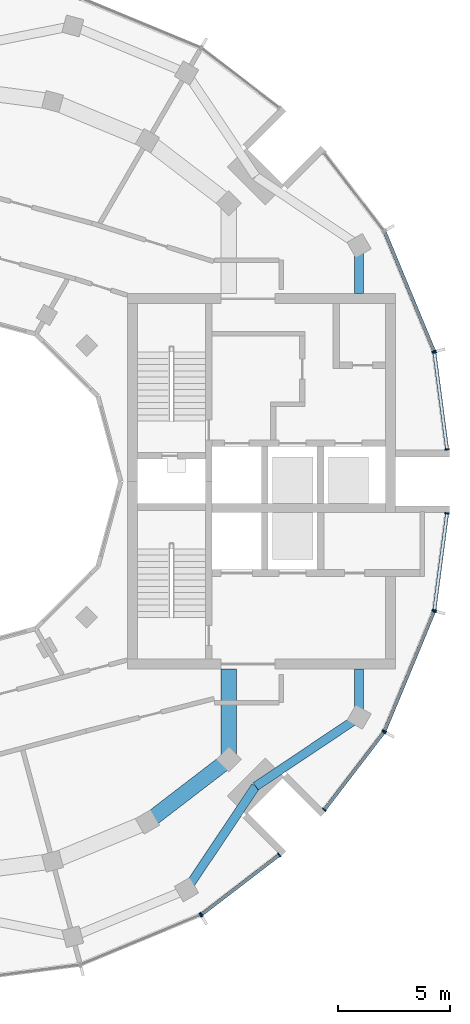
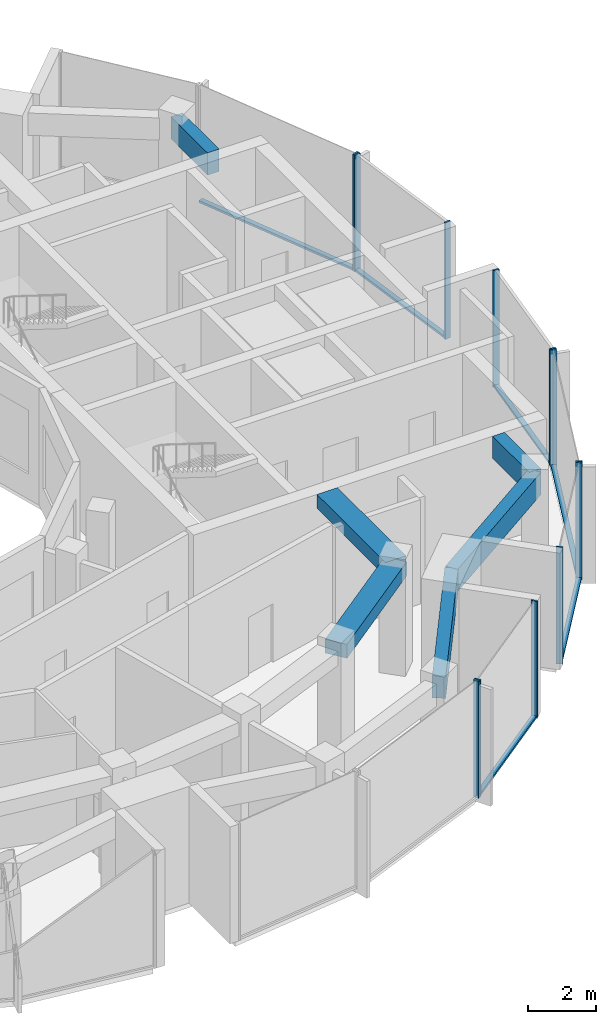
# One storey, part 4 of 13: 18 members, 6 beams, 7 elements without a shape of their own.
"""IFC4 building model written with IfcOpenShell, lengths in metres."""

import ifcopenshell
import ifcopenshell.guid

model = None  # the IFC model being written
_history = None  # IfcOwnerHistory: only IFC2X3 demands one
_inside = {}  # id of a spatial element -> (the spatial element, [elements in it])
_under = {}  # id of a project, library or spatial element -> (it, [spatial elements below it])
_declared = {}  # id of a project -> (the project, [libraries it declares])
_typed = {}  # id of a type object -> (the type object, [elements of that type])
_made_of = {}  # id of a material, layer set ... -> (it, [elements and type objects made of it])


def new_model(schema):
    """Start an empty IFC model of exactly this schema.

    Asked for "IFC4X3", IfcOpenShell would pick the latest addendum, in which some entities
    have other attributes; the version numbers below select the first issue.
    IFC2X3 requires an IfcOwnerHistory on every rooted entity: one is made here for all.
    """
    global model, _history
    if schema == "IFC4X3":
        model = ifcopenshell.file(schema_version=(4, 3, 0, 0))
    else:
        model = ifcopenshell.file(schema=schema)
    _inside.clear()
    _under.clear()
    _declared.clear()
    _typed.clear()
    _made_of.clear()
    _history = None
    if model.schema == "IFC2X3":
        org = make("IfcOrganization", Name="unknown")
        user = make(
            "IfcPersonAndOrganization",
            ThePerson=make("IfcPerson", FamilyName="unknown"),
            TheOrganization=org,
        )
        app = make(
            "IfcApplication",
            ApplicationDeveloper=org,
            Version="unknown",
            ApplicationFullName="unknown",
            ApplicationIdentifier="unknown",
        )
        _history = make(
            "IfcOwnerHistory",
            OwningUser=user,
            OwningApplication=app,
            ChangeAction="ADDED",
            CreationDate=0,
        )
    return model


def make(cls, **values):
    """One entity of the class cls with the attributes given. An attribute that is None is left unset."""
    return model.create_entity(
        cls, **{name: value for name, value in values.items() if value is not None}
    )


def rooted(cls, **values):
    """An entity with a GlobalId (a new one), such as an element, a storey or a relation."""
    return make(cls, GlobalId=ifcopenshell.guid.new(), OwnerHistory=_history, **values)


def si_unit(unit_type, name, prefix=None):
    """IfcSIUnit, for example si_unit("LENGTHUNIT", "METRE", prefix="MILLI")."""
    return make("IfcSIUnit", UnitType=unit_type, Prefix=prefix, Name=name)


def assignment(units):
    """IfcUnitAssignment: the units of a project."""
    return None if units is None else make("IfcUnitAssignment", Units=units)


def point(xyz):
    """IfcCartesianPoint."""
    return None if xyz is None else make("IfcCartesianPoint", Coordinates=xyz)


def direction(xyz):
    """IfcDirection."""
    return None if xyz is None else make("IfcDirection", DirectionRatios=xyz)


def frame(location, z_axis=None, x_axis=None):
    """IfcAxis2Placement3D, a coordinate frame: its origin and axes. An axis left out is left unset."""
    return make(
        "IfcAxis2Placement3D",
        Location=point(location),
        Axis=direction(z_axis),
        RefDirection=direction(x_axis),
    )


def frame_2d(location, x_axis=None):
    """IfcAxis2Placement2D, a coordinate frame in the plane: its origin and x axis."""
    return make(
        "IfcAxis2Placement2D", Location=point(location), RefDirection=direction(x_axis)
    )


def origin():
    """The frame at (0, 0, 0) with its axes left unset."""
    return frame((0.0, 0.0, 0.0))


def origin_2d():
    """The frame at (0, 0) in the plane with its x axis left unset."""
    return frame_2d((0.0, 0.0))


def place(relative_to, where):
    """IfcLocalPlacement: puts the frame where relative to a parent placement (None: the world)."""
    return make(
        "IfcLocalPlacement", PlacementRelTo=relative_to, RelativePlacement=where
    )


def context(
    kind, dimensions, precision=None, world=None, true_north=None, identifier=None
):
    """IfcGeometricRepresentationContext, for example the 3D "Model" context."""
    return make(
        "IfcGeometricRepresentationContext",
        ContextIdentifier=identifier,
        ContextType=kind,
        CoordinateSpaceDimension=dimensions,
        Precision=precision,
        WorldCoordinateSystem=world,
        TrueNorth=true_north,
    )


def subcontext(parent, identifier, kind, view, scale=None):
    """IfcGeometricRepresentationSubContext, for example "Body" below "Model"."""
    return make(
        "IfcGeometricRepresentationSubContext",
        ContextIdentifier=identifier,
        ContextType=kind,
        ParentContext=parent,
        TargetScale=scale,
        TargetView=view,
    )


def project(units=None, contexts=None):
    """IfcProject with its units and contexts."""
    return rooted(
        "IfcProject",
        Name="project",
        RepresentationContexts=contexts,
        UnitsInContext=assignment(units),
    )


def spatial(cls, under=None, at=None, **own):
    """A site, building, storey or space (cls), placed at a placement, below another one or the project."""
    s = rooted(cls, ObjectPlacement=at, **own)
    if under is not None:
        _under.setdefault(under.id(), (under, []))[1].append(s)
    return s


def profile(cls, at=None, kind="AREA", **sizes):
    """A parametric profile (cls). Its sizes go by their IFC names, for example OverallWidth=200.0."""
    return make(cls, ProfileType=kind, Position=at, **sizes)


def rectangle(**sizes):
    """IfcRectangleProfileDef."""
    return profile("IfcRectangleProfileDef", **sizes)


def extrude(swept, where, along, depth):
    """IfcExtrudedAreaSolid: the profile swept, set in the frame where, extruded along a direction by depth."""
    return make(
        "IfcExtrudedAreaSolid",
        SweptArea=swept,
        Position=where,
        ExtrudedDirection=direction(along),
        Depth=depth,
    )


def shape(context_of_items, identifier, shape_type, items):
    """IfcShapeRepresentation: the items that make up one representation, for example the "Body"."""
    return make(
        "IfcShapeRepresentation",
        ContextOfItems=context_of_items,
        RepresentationIdentifier=identifier,
        RepresentationType=shape_type,
        Items=items,
    )


def material(Name=None, Category=None):
    """IfcMaterial."""
    return make("IfcMaterial", Name=Name, Category=Category)


def layer(
    of_material, thickness, ventilated=None, Name=None, Category=None, Priority=None
):
    """IfcMaterialLayer: one layer of a wall or slab, of a material (None: an air gap)."""
    return make(
        "IfcMaterialLayer",
        Material=of_material,
        LayerThickness=thickness,
        IsVentilated=ventilated,
        Name=Name,
        Category=Category,
        Priority=Priority,
    )


def layer_set(layers, Name=None):
    """IfcMaterialLayerSet."""
    return make("IfcMaterialLayerSet", MaterialLayers=layers, LayerSetName=Name)


def material_profile(
    of_material, cross_section, Name=None, Category=None, Priority=None
):
    """IfcMaterialProfile: a cross section and its material."""
    return make(
        "IfcMaterialProfile",
        Name=Name,
        Material=of_material,
        Profile=cross_section,
        Priority=Priority,
        Category=Category,
    )


def profile_set(profiles, Name=None, composite=None):
    """IfcMaterialProfileSet."""
    return make(
        "IfcMaterialProfileSet",
        Name=Name,
        MaterialProfiles=profiles,
        CompositeProfile=composite,
    )


def made_of(thing, what):
    """Note that an element or type object is made of a material, layer set ...; save() writes the relation."""
    if what is not None:
        _made_of.setdefault(what.id(), (what, []))[1].append(thing)
    return thing


def type_object(cls, material=None, **own):
    """A type object (cls), such as IfcWallType, which elements share."""
    return made_of(rooted(cls, **own), material)


def element(
    cls,
    number,
    at=None,
    inside=None,
    cuts=None,
    type_object=None,
    material=None,
    context=None,
    identifier="Body",
    shape_type=None,
    held_by="IfcProductDefinitionShape",
    body=None,
    shapes=None,
    **own,
):
    """One element of the class cls, such as IfcWall. Its Tag is "e" and its number.

    at: its placement. inside: the storey or other place that contains it. cuts: it is an
    opening in that element (IfcRelVoidsElement). A single representation is given by context,
    identifier, shape_type and body (its items); several are given by shapes. held_by: the class
    of the entity that holds the representations. save() writes the other relations.
    """
    e = rooted(cls, Tag="e%d" % number, ObjectPlacement=at, **own)
    if body is not None:
        shapes = [shape(context, identifier, shape_type, body)]
    if shapes is not None:
        e.Representation = make(held_by, Representations=shapes)
    if inside is not None:
        _inside.setdefault(inside.id(), (inside, []))[1].append(e)
    if cuts is not None:
        rooted(
            "IfcRelVoidsElement", RelatingBuildingElement=cuts, RelatedOpeningElement=e
        )
    if type_object is not None:
        _typed.setdefault(type_object.id(), (type_object, []))[1].append(e)
    return made_of(e, material)


def aggregate(whole, parts):
    """IfcRelAggregates: a whole, such as a stair, and the parts it consists of."""
    return rooted("IfcRelAggregates", RelatingObject=whole, RelatedObjects=parts)


def save(model, path):
    """Write the relations noted so far, then the file.

    IfcRelAggregates (storeys below a building ...), IfcRelContainedInSpatialStructure (elements
    in a storey), IfcRelDefinesByType, IfcRelAssociatesMaterial and IfcRelDeclares: one each for
    every whole, place, type object, material and project.
    """
    for whole, parts in _under.values():
        aggregate(whole, parts)
    for where, things in _inside.values():
        rooted(
            "IfcRelContainedInSpatialStructure",
            RelatedElements=things,
            RelatingStructure=where,
        )
    for kind, things in _typed.values():
        rooted("IfcRelDefinesByType", RelatedObjects=things, RelatingType=kind)
    for what, things in _made_of.values():
        rooted("IfcRelAssociatesMaterial", RelatedObjects=things, RelatingMaterial=what)
    for by, libraries in _declared.values():
        rooted("IfcRelDeclares", RelatingContext=by, RelatedDefinitions=libraries)
    model.write(path)


model = new_model("IFC4")

# Units and contexts
model_context = context("Model", 3, precision=1e-05, world=origin(), true_north=direction((0.0, 1.0)))
body_context = subcontext(model_context, "Body", "Model", "MODEL_VIEW")
ifc_project = project(units=[si_unit("LENGTHUNIT", "METRE"), si_unit("AREAUNIT", "SQUARE_METRE"), si_unit("VOLUMEUNIT", "CUBIC_METRE"), si_unit("PLANEANGLEUNIT", "RADIAN"), si_unit("MASSUNIT", "GRAM", prefix="KILO")], contexts=[model_context])

# Site, building, storey
site_placement = place(None, origin())
site = spatial("IfcSite", under=ifc_project, at=site_placement, CompositionType="ELEMENT")
building_placement = place(site_placement, origin())
building = spatial("IfcBuilding", under=site, at=building_placement, Name="Torre Brocal", CompositionType="ELEMENT")
storey_placement = place(building_placement, frame((0.0, 0.0, 296.699951171875)))
storey = spatial("IfcBuildingStorey", under=building, at=storey_placement, Name="L68", CompositionType="ELEMENT", Elevation=296.699951171875)

# Curtain wall, member
ifc_material_1 = material(Name="Aluminium and glass", Category="aluminium")
ifc_layer_1 = layer(ifc_material_1, 0.199951171875)
ifc_layer_set_1 = layer_set([ifc_layer_1], Name="Aluminium and glass")
curtain_wall_type_1 = type_object("IfcCurtainWallType", Name="CW-1 CURTAIN WALL 4200 HIGH", PredefinedType="NOTDEFINED", material=ifc_layer_set_1)
curtain_wall_1_placement = place(storey_placement, origin())
curtain_wall_1 = element("IfcCurtainWall", 1, at=curtain_wall_1_placement, inside=storey, type_object=curtain_wall_type_1, Name="CW-1 RUN 2", PredefinedType="NOTDEFINED")
ifc_material_2 = material(Name="Aluminium, dark anodised", Category="aluminium")
ifc_material_profile_1 = material_profile(ifc_material_2, rectangle(XDim=0.199951171875, YDim=0.06005859375, at=origin_2d()), Name="CW-1 MULLION 60X200")
ifc_profile_set_1 = profile_set([ifc_material_profile_1], Name="Aluminium, dark anodised")
member_type_1 = type_object("IfcMemberType", Name="CW-1 MULLION 60X200", PredefinedType="MULLION", material=ifc_profile_set_1)
member_1_placement = place(storey_placement, frame((101.62451171875, 80.824951171875, 0.0), z_axis=(0.0, 0.0, 1.0), x_axis=(-0.923879532545, -0.382683432284, 0.0)))
member_1 = element("IfcMember", 2, at=member_1_placement, type_object=member_type_1, Name="CW1-5 mullion 1", PredefinedType="MULLION", context=body_context, shape_type="SweptSolid", body=[
    extrude(rectangle(XDim=0.199951171875, YDim=0.06005859375, at=origin_2d()), origin(), (0.0, 0.0, 1.0), 4.199951171875),
])

curtain_wall_2_placement = place(storey_placement, origin())
curtain_wall_2 = element("IfcCurtainWall", 3, at=curtain_wall_2_placement, inside=storey, type_object=curtain_wall_type_1, Name="CW-1 RUN 20", PredefinedType="NOTDEFINED")
member_2_placement = place(storey_placement, frame((91.171875, 55.59033203125, 0.0), z_axis=(0.0, 0.0, 1.0), x_axis=(-0.382683432284, 0.923879532545, 0.0)))
member_2 = element("IfcMember", 4, at=member_2_placement, type_object=member_type_1, Name="CW1-5 mullion 2", PredefinedType="MULLION", context=body_context, shape_type="SweptSolid", body=[
    extrude(rectangle(XDim=0.199951171875, YDim=0.06005859375, at=origin_2d()), origin(), (0.0, 0.0, 1.0), 4.199951171875),
])
aggregate(curtain_wall_2, [member_2])

# Curtain wall, members
curtain_wall_3_placement = place(storey_placement, origin())
curtain_wall_3 = element("IfcCurtainWall", 5, at=curtain_wall_3_placement, inside=storey, type_object=curtain_wall_type_1, Name="CW-1 RUN 21", PredefinedType="NOTDEFINED")
member_3_placement = place(storey_placement, frame((91.223388671875, 55.6201171875, 0.0), z_axis=(0.0, 0.0, 1.0), x_axis=(-0.608761429064, 0.793353340249, 0.0)))
member_3 = element("IfcMember", 6, at=member_3_placement, type_object=member_type_1, Name="CW1-5 mullion 1", PredefinedType="MULLION", context=body_context, shape_type="SweptSolid", body=[
    extrude(rectangle(XDim=0.199951171875, YDim=0.06005859375, at=origin_2d()), origin(), (0.0, 0.0, 1.0), 4.199951171875),
])
member_4_placement = place(storey_placement, frame((94.694580078125, 58.283447265625, 0.0), z_axis=(0.0, 0.0, 1.0), x_axis=(-0.608761429064, 0.793353340249, 0.0)))
member_4 = element("IfcMember", 7, at=member_4_placement, type_object=member_type_1, Name="CW1-5 mullion 2", PredefinedType="MULLION", context=body_context, shape_type="SweptSolid", body=[
    extrude(rectangle(XDim=0.199951171875, YDim=0.06005859375, at=origin_2d()), origin(), (0.0, 0.0, 1.0), 4.199951171875),
])

curtain_wall_4_placement = place(storey_placement, origin())
curtain_wall_4 = element("IfcCurtainWall", 8, at=curtain_wall_4_placement, inside=storey, type_object=curtain_wall_type_1, Name="CW-1 RUN 22", PredefinedType="NOTDEFINED")
member_5_placement = place(storey_placement, frame((96.716552734375, 60.305419921875, 0.0), z_axis=(0.0, 0.0, 1.0), x_axis=(-0.793353340249, 0.608761429064, 0.0)))
member_5 = element("IfcMember", 9, at=member_5_placement, type_object=member_type_1, Name="CW1-5 mullion 1", PredefinedType="MULLION", context=body_context, shape_type="SweptSolid", body=[
    extrude(rectangle(XDim=0.199951171875, YDim=0.06005859375, at=origin_2d()), origin(), (0.0, 0.0, 1.0), 4.199951171875),
])
member_6_placement = place(storey_placement, frame((99.3798828125, 63.776611328125, 0.0), z_axis=(0.0, 0.0, 1.0), x_axis=(-0.793353340249, 0.608761429064, 0.0)))
member_6 = element("IfcMember", 10, at=member_6_placement, type_object=member_type_1, Name="CW1-5 mullion 2", PredefinedType="MULLION", context=body_context, shape_type="SweptSolid", body=[
    extrude(rectangle(XDim=0.199951171875, YDim=0.06005859375, at=origin_2d()), origin(), (0.0, 0.0, 1.0), 4.199951171875),
])

curtain_wall_5_placement = place(storey_placement, origin())
curtain_wall_5 = element("IfcCurtainWall", 11, at=curtain_wall_5_placement, inside=storey, type_object=curtain_wall_type_1, Name="CW-1 RUN 23", PredefinedType="NOTDEFINED")
member_7_placement = place(storey_placement, frame((99.40966796875, 63.828125, 0.0), z_axis=(0.0, 0.0, 1.0), x_axis=(-0.923879532545, 0.382683432284, 0.0)))
member_7 = element("IfcMember", 12, at=member_7_placement, type_object=member_type_1, Name="CW1-5 mullion 1", PredefinedType="MULLION", context=body_context, shape_type="SweptSolid", body=[
    extrude(rectangle(XDim=0.199951171875, YDim=0.06005859375, at=origin_2d()), origin(), (0.0, 0.0, 1.0), 4.199951171875),
])
member_8_placement = place(storey_placement, frame((101.62451171875, 69.175048828125, 0.0), z_axis=(0.0, 0.0, 1.0), x_axis=(-0.923879532545, 0.382683432284, 0.0)))
member_8 = element("IfcMember", 13, at=member_8_placement, type_object=member_type_1, Name="CW1-5 mullion 2", PredefinedType="MULLION", context=body_context, shape_type="SweptSolid", body=[
    extrude(rectangle(XDim=0.199951171875, YDim=0.06005859375, at=origin_2d()), origin(), (0.0, 0.0, 1.0), 4.199951171875),
])

# Member
ifc_material_3 = material(Name="Aluminium, dark anodised", Category="aluminium")
ifc_material_profile_2 = material_profile(ifc_material_3, rectangle(XDim=0.159912109375, YDim=0.080078125, at=origin_2d()), Name="CW-1 TRANSOM 160X80")
ifc_profile_set_2 = profile_set([ifc_material_profile_2], Name="Aluminium, dark anodised")
member_type_2 = type_object("IfcMemberType", Name="CW-1 TRANSOM 160X80", PredefinedType="USERDEFINED", material=ifc_profile_set_2)
member_9_placement = place(storey_placement, frame((101.613037109375, 80.852783203125, 0.0400390625), z_axis=(-0.382710701355, 0.923868236854, 0.0), x_axis=(-0.923868236854, -0.382710701355, 0.0)))
member_9 = element("IfcMember", 14, at=member_9_placement, type_object=member_type_2, Name="CW1-5 transom 1.1", ObjectType="TRANSOM", PredefinedType="USERDEFINED", context=body_context, shape_type="SweptSolid", body=[
    extrude(rectangle(XDim=0.159912109375, YDim=0.080078125, at=origin_2d()), origin(), (0.0, 0.0, 1.0), 5.727294921875),
])

aggregate(curtain_wall_1, [member_1, member_9])

member_10_placement = place(storey_placement, frame((91.2470703125, 55.63818359375, 0.0400390625), z_axis=(0.793332201462, 0.608788976677, 0.0), x_axis=(-0.608788976677, 0.793332201462, 0.0)))
member_10 = element("IfcMember", 15, at=member_10_placement, type_object=member_type_2, Name="CW1-5 transom 1.1", ObjectType="TRANSOM", PredefinedType="USERDEFINED", context=body_context, shape_type="SweptSolid", body=[
    extrude(rectangle(XDim=0.159912109375, YDim=0.080078125, at=origin_2d()), origin(), (0.0, 0.0, 1.0), 4.3154296875),
])

aggregate(curtain_wall_3, [member_3, member_4, member_10])

member_11_placement = place(storey_placement, frame((96.734619140625, 60.329345703125, 0.0400390625), z_axis=(0.608788976677, 0.793332201462, 0.0), x_axis=(-0.793332201462, 0.608788976677, 0.0)))
member_11 = element("IfcMember", 16, at=member_11_placement, type_object=member_type_2, Name="CW1-5 transom 1.1", ObjectType="TRANSOM", PredefinedType="USERDEFINED", context=body_context, shape_type="SweptSolid", body=[
    extrude(rectangle(XDim=0.159912109375, YDim=0.080078125, at=origin_2d()), origin(), (0.0, 0.0, 1.0), 4.3154296875),
])

aggregate(curtain_wall_4, [member_5, member_6, member_11])

member_12_placement = place(storey_placement, frame((99.421142578125, 63.85595703125, 0.0400390625), z_axis=(0.382710701355, 0.923868236854, 0.0), x_axis=(-0.923868236854, 0.382710701355, 0.0)))
member_12 = element("IfcMember", 17, at=member_12_placement, type_object=member_type_2, Name="CW1-5 transom 1.1", ObjectType="TRANSOM", PredefinedType="USERDEFINED", context=body_context, shape_type="SweptSolid", body=[
    extrude(rectangle(XDim=0.159912109375, YDim=0.080078125, at=origin_2d()), origin(), (0.0, 0.0, 1.0), 5.727294921875),
])

aggregate(curtain_wall_5, [member_7, member_8, member_12])

# Curtain wall, members
ifc_material_4 = material(Name="Aluminium and glass", Category="aluminium")
ifc_layer_2 = layer(ifc_material_4, 0.199951171875)
ifc_layer_set_2 = layer_set([ifc_layer_2], Name="Aluminium and glass")
curtain_wall_type_2 = type_object("IfcCurtainWallType", Name="CW-1B CURTAIN WALL 4200 HIGH", PredefinedType="NOTDEFINED", material=ifc_layer_set_2)
curtain_wall_6_placement = place(storey_placement, origin())
curtain_wall_6 = element("IfcCurtainWall", 18, at=curtain_wall_6_placement, inside=storey, type_object=curtain_wall_type_2, Name="CW-1B RUN 1", PredefinedType="NOTDEFINED")
ifc_material_5 = material(Name="Aluminium, dark anodised", Category="aluminium")
ifc_material_profile_3 = material_profile(ifc_material_5, rectangle(XDim=0.199951171875, YDim=0.06005859375, at=origin_2d()), Name="CW-1B MULLION 60X200")
ifc_profile_set_3 = profile_set([ifc_material_profile_3], Name="Aluminium, dark anodised")
member_type_3 = type_object("IfcMemberType", Name="CW-1B MULLION 60X200", PredefinedType="MULLION", material=ifc_profile_set_3)
member_13_placement = place(storey_placement, frame((102.2109375, 76.4296875, 0.0), z_axis=(0.0, 0.0, 1.0), x_axis=(-0.991444861374, -0.13052619222, 0.0)))
member_13 = element("IfcMember", 19, at=member_13_placement, type_object=member_type_3, Name="CW1B-5 mullion 1", PredefinedType="MULLION", context=body_context, shape_type="SweptSolid", body=[
    extrude(rectangle(XDim=0.199951171875, YDim=0.06005859375, at=origin_2d()), origin(), (0.0, 0.0, 1.0), 4.199951171875),
])
member_14_placement = place(storey_placement, frame((101.639892578125, 80.767578125, 0.0), z_axis=(0.0, 0.0, 1.0), x_axis=(-0.991444861374, -0.13052619222, 0.0)))
member_14 = element("IfcMember", 20, at=member_14_placement, type_object=member_type_3, Name="CW1B-5 mullion 2", PredefinedType="MULLION", context=body_context, shape_type="SweptSolid", body=[
    extrude(rectangle(XDim=0.199951171875, YDim=0.06005859375, at=origin_2d()), origin(), (0.0, 0.0, 1.0), 4.199951171875),
])

curtain_wall_7_placement = place(storey_placement, origin())
curtain_wall_7 = element("IfcCurtainWall", 21, at=curtain_wall_7_placement, inside=storey, type_object=curtain_wall_type_2, Name="CW-1B RUN 24", PredefinedType="NOTDEFINED")
member_15_placement = place(storey_placement, frame((101.639892578125, 69.232421875, 0.0), z_axis=(0.0, 0.0, 1.0), x_axis=(-0.991444861374, 0.13052619222, 0.0)))
member_15 = element("IfcMember", 22, at=member_15_placement, type_object=member_type_3, Name="CW1B-5 mullion 1", PredefinedType="MULLION", context=body_context, shape_type="SweptSolid", body=[
    extrude(rectangle(XDim=0.199951171875, YDim=0.06005859375, at=origin_2d()), origin(), (0.0, 0.0, 1.0), 4.199951171875),
])
member_16_placement = place(storey_placement, frame((102.2109375, 73.5703125, 0.0), z_axis=(0.0, 0.0, 1.0), x_axis=(-0.991444861374, 0.13052619222, 0.0)))
member_16 = element("IfcMember", 23, at=member_16_placement, type_object=member_type_3, Name="CW1B-5 mullion 2", PredefinedType="MULLION", context=body_context, shape_type="SweptSolid", body=[
    extrude(rectangle(XDim=0.199951171875, YDim=0.06005859375, at=origin_2d()), origin(), (0.0, 0.0, 1.0), 4.199951171875),
])

# Member
ifc_material_6 = material(Name="Aluminium, dark anodised", Category="aluminium")
ifc_material_profile_4 = material_profile(ifc_material_6, rectangle(XDim=0.159912109375, YDim=0.080078125, at=origin_2d()), Name="CW-1B TRANSOM 160X80")
ifc_profile_set_4 = profile_set([ifc_material_profile_4], Name="Aluminium, dark anodised")
member_type_4 = type_object("IfcMemberType", Name="CW-1B TRANSOM 160X80", PredefinedType="USERDEFINED", material=ifc_profile_set_4)
member_17_placement = place(storey_placement, frame((102.20703125, 76.45947265625, 0.0400390625), z_axis=(-0.130521833991, 0.991445435136, 0.0), x_axis=(-0.991445435136, -0.130521833991, 0.0)))
member_17 = element("IfcMember", 24, at=member_17_placement, type_object=member_type_4, Name="CW1B-5 transom 1.1", ObjectType="TRANSOM", PredefinedType="USERDEFINED", context=body_context, shape_type="SweptSolid", body=[
    extrude(rectangle(XDim=0.159912109375, YDim=0.080078125, at=origin_2d()), origin(), (0.0, 0.0, 1.0), 4.315185546875),
])

aggregate(curtain_wall_6, [member_13, member_14, member_17])

member_18_placement = place(storey_placement, frame((101.643798828125, 69.26220703125, 0.0400390625), z_axis=(0.130521833991, 0.991445435136, 0.0), x_axis=(-0.991445435136, 0.130521833991, 0.0)))
member_18 = element("IfcMember", 25, at=member_18_placement, type_object=member_type_4, Name="CW1B-5 transom 1.1", ObjectType="TRANSOM", PredefinedType="USERDEFINED", context=body_context, shape_type="SweptSolid", body=[
    extrude(rectangle(XDim=0.159912109375, YDim=0.080078125, at=origin_2d()), origin(), (0.0, 0.0, 1.0), 4.315185546875),
])

aggregate(curtain_wall_7, [member_15, member_16, member_18])

# Beams
ifc_material_7 = material(Name="Concrete C50", Category="concrete")
ifc_material_profile_5 = material_profile(ifc_material_7, rectangle(XDim=0.699951171875, YDim=0.5, at=origin_2d()), Name="RC 700X500")
ifc_profile_set_5 = profile_set([ifc_material_profile_5], Name="Concrete C50")
beam_type_1 = type_object("IfcBeamType", Name="RC BEAM 700X500 C50 TOP 3880", PredefinedType="BEAM", material=ifc_profile_set_5)
beam_1_placement = place(storey_placement, frame((88.800048828125, 59.758056640625, 3.630126953125), z_axis=(0.793358265959, 0.6087550097, 0.0), x_axis=(-0.6087550097, 0.793358265959, 0.0)))
element("IfcBeam", 26, at=beam_1_placement, inside=storey, type_object=beam_type_1, Name="Beam BT-37", PredefinedType="BEAM", context=body_context, shape_type="SweptSolid", body=[
    extrude(rectangle(XDim=0.699951171875, YDim=0.5, at=origin_2d()), origin(), (0.0, 0.0, 1.0), 4.594482421875),
])
beam_2_placement = place(storey_placement, frame((92.445068359375, 62.554931640625, 3.630126953125), z_axis=(0.0, 1.0, 0.0), x_axis=(-1.0, 0.0, 0.0)))
element("IfcBeam", 27, at=beam_2_placement, inside=storey, type_object=beam_type_1, Name="Beam BT-37", PredefinedType="BEAM", context=body_context, shape_type="SweptSolid", body=[
    extrude(rectangle(XDim=0.699951171875, YDim=0.5, at=origin_2d()), origin(), (0.0, 0.0, 1.0), 4.045166015625),
])
ifc_material_8 = material(Name="Concrete C50", Category="concrete")
ifc_material_profile_6 = material_profile(ifc_material_8, rectangle(XDim=0.39990234375, YDim=0.800048828125, at=origin_2d()), Name="RC 400X800")
ifc_profile_set_6 = profile_set([ifc_material_profile_6], Name="Concrete C50")
beam_type_2 = type_object("IfcBeamType", Name="RC SPANDREL BEAM 400X800 C50 TOP 3880", PredefinedType="SPANDREL", material=ifc_profile_set_6)
for number, where, z_axis, x_axis, name in (
    (28, (90.550048828125, 56.726806640625, 3.47998046875), (0.556338604247, 0.830955689206, 0.0), (-0.830955689206, 0.556338604247, 0.0), "Beam BT-47"),
    (29, (93.647216796875, 61.352783203125, 3.47998046875), (0.830955689206, 0.556338604247, 0.0), (-0.556338604247, 0.830955689206, 0.0), "Beam BT-47"),
):
    element("IfcBeam", number, at=place(storey_placement, frame(where, z_axis=z_axis, x_axis=x_axis)), inside=storey, type_object=beam_type_2, Name=name, PredefinedType="SPANDREL", context=body_context, shape_type="SweptSolid", body=[
        extrude(rectangle(XDim=0.39990234375, YDim=0.800048828125, at=origin_2d()), origin(), (0.0, 0.0, 1.0), 5.567138671875),
    ])
for number, where, z_axis, x_axis, name in (
    (30, (98.273193359375, 64.449951171875, 3.47998046875), (0.0, 1.0, 0.0), (-1.0, 0.0, 0.0), "Beam BT-47"),
    (31, (98.273193359375, 85.550048828125, 3.47998046875), (0.0, -1.0, 0.0), (1.0, 0.0, 0.0), "Beam BT-47"),
):
    element("IfcBeam", number, at=place(storey_placement, frame(where, z_axis=z_axis, x_axis=x_axis)), inside=storey, type_object=beam_type_2, Name=name, PredefinedType="SPANDREL", context=body_context, shape_type="SweptSolid", body=[
        extrude(rectangle(XDim=0.39990234375, YDim=0.800048828125, at=origin_2d()), origin(), (0.0, 0.0, 1.0), 2.150146484375),
    ])

save(model, "model.ifc")
